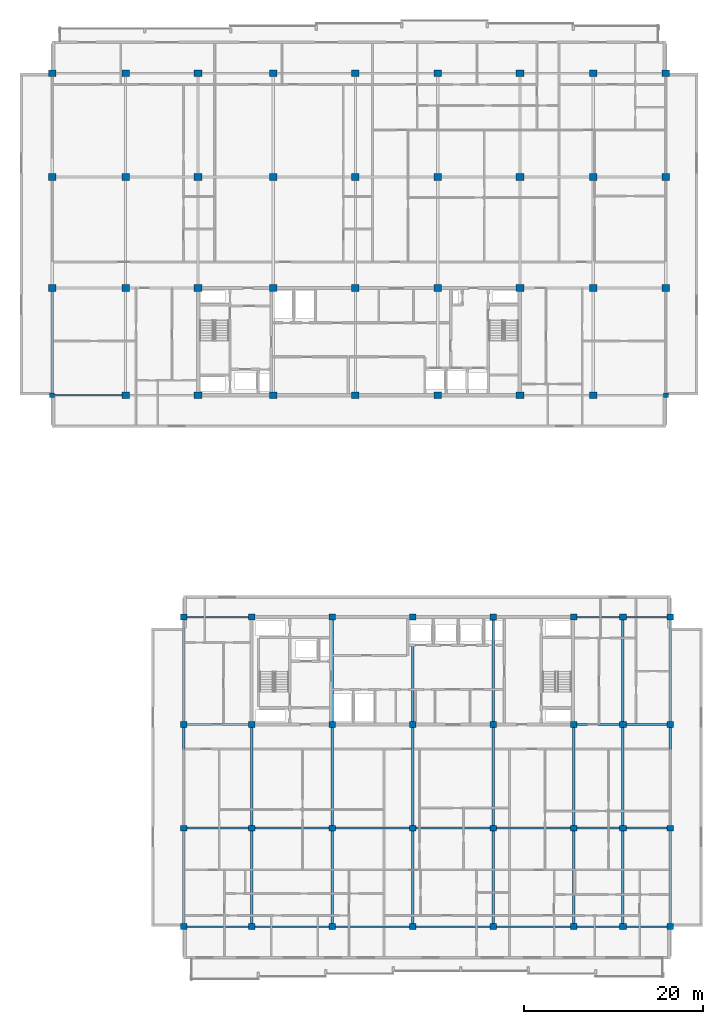
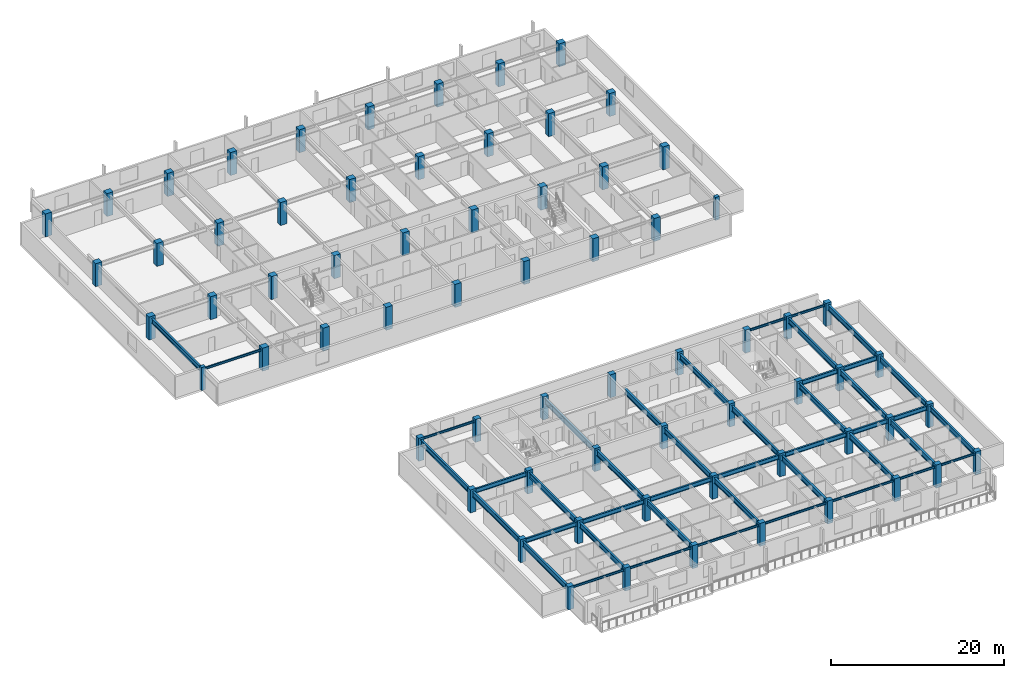
# One storey, part 1 of 22: 68 columns, 44 beams.
"""IFC4 building model written with IfcOpenShell, lengths in metres."""

import ifcopenshell
import ifcopenshell.guid

model = None  # the IFC model being written
_history = None  # IfcOwnerHistory: only IFC2X3 demands one
_inside = {}  # id of a spatial element -> (the spatial element, [elements in it])
_under = {}  # id of a project, library or spatial element -> (it, [spatial elements below it])
_declared = {}  # id of a project -> (the project, [libraries it declares])
_typed = {}  # id of a type object -> (the type object, [elements of that type])
_made_of = {}  # id of a material, layer set ... -> (it, [elements and type objects made of it])


def new_model(schema):
    """Start an empty IFC model of exactly this schema.

    Asked for "IFC4X3", IfcOpenShell would pick the latest addendum, in which some entities
    have other attributes; the version numbers below select the first issue.
    IFC2X3 requires an IfcOwnerHistory on every rooted entity: one is made here for all.
    """
    global model, _history
    if schema == "IFC4X3":
        model = ifcopenshell.file(schema_version=(4, 3, 0, 0))
    else:
        model = ifcopenshell.file(schema=schema)
    _inside.clear()
    _under.clear()
    _declared.clear()
    _typed.clear()
    _made_of.clear()
    _history = None
    if model.schema == "IFC2X3":
        org = make("IfcOrganization", Name="unknown")
        user = make(
            "IfcPersonAndOrganization",
            ThePerson=make("IfcPerson", FamilyName="unknown"),
            TheOrganization=org,
        )
        app = make(
            "IfcApplication",
            ApplicationDeveloper=org,
            Version="unknown",
            ApplicationFullName="unknown",
            ApplicationIdentifier="unknown",
        )
        _history = make(
            "IfcOwnerHistory",
            OwningUser=user,
            OwningApplication=app,
            ChangeAction="ADDED",
            CreationDate=0,
        )
    return model


def make(cls, **values):
    """One entity of the class cls with the attributes given. An attribute that is None is left unset."""
    return model.create_entity(
        cls, **{name: value for name, value in values.items() if value is not None}
    )


def rooted(cls, **values):
    """An entity with a GlobalId (a new one), such as an element, a storey or a relation."""
    return make(cls, GlobalId=ifcopenshell.guid.new(), OwnerHistory=_history, **values)


def si_unit(unit_type, name, prefix=None):
    """IfcSIUnit, for example si_unit("LENGTHUNIT", "METRE", prefix="MILLI")."""
    return make("IfcSIUnit", UnitType=unit_type, Prefix=prefix, Name=name)


def assignment(units):
    """IfcUnitAssignment: the units of a project."""
    return None if units is None else make("IfcUnitAssignment", Units=units)


def point(xyz):
    """IfcCartesianPoint."""
    return None if xyz is None else make("IfcCartesianPoint", Coordinates=xyz)


def direction(xyz):
    """IfcDirection."""
    return None if xyz is None else make("IfcDirection", DirectionRatios=xyz)


def frame(location, z_axis=None, x_axis=None):
    """IfcAxis2Placement3D, a coordinate frame: its origin and axes. An axis left out is left unset."""
    return make(
        "IfcAxis2Placement3D",
        Location=point(location),
        Axis=direction(z_axis),
        RefDirection=direction(x_axis),
    )


def frame_2d(location, x_axis=None):
    """IfcAxis2Placement2D, a coordinate frame in the plane: its origin and x axis."""
    return make(
        "IfcAxis2Placement2D", Location=point(location), RefDirection=direction(x_axis)
    )


def origin():
    """The frame at (0, 0, 0) with its axes left unset."""
    return frame((0.0, 0.0, 0.0))


def origin_2d():
    """The frame at (0, 0) in the plane with its x axis left unset."""
    return frame_2d((0.0, 0.0))


def place(relative_to, where):
    """IfcLocalPlacement: puts the frame where relative to a parent placement (None: the world)."""
    return make(
        "IfcLocalPlacement", PlacementRelTo=relative_to, RelativePlacement=where
    )


def context(
    kind, dimensions, precision=None, world=None, true_north=None, identifier=None
):
    """IfcGeometricRepresentationContext, for example the 3D "Model" context."""
    return make(
        "IfcGeometricRepresentationContext",
        ContextIdentifier=identifier,
        ContextType=kind,
        CoordinateSpaceDimension=dimensions,
        Precision=precision,
        WorldCoordinateSystem=world,
        TrueNorth=true_north,
    )


def subcontext(parent, identifier, kind, view, scale=None):
    """IfcGeometricRepresentationSubContext, for example "Body" below "Model"."""
    return make(
        "IfcGeometricRepresentationSubContext",
        ContextIdentifier=identifier,
        ContextType=kind,
        ParentContext=parent,
        TargetScale=scale,
        TargetView=view,
    )


def project(units=None, contexts=None):
    """IfcProject with its units and contexts."""
    return rooted(
        "IfcProject",
        Name="project",
        RepresentationContexts=contexts,
        UnitsInContext=assignment(units),
    )


def spatial(cls, under=None, at=None, **own):
    """A site, building, storey or space (cls), placed at a placement, below another one or the project."""
    s = rooted(cls, ObjectPlacement=at, **own)
    if under is not None:
        _under.setdefault(under.id(), (under, []))[1].append(s)
    return s


def profile(cls, at=None, kind="AREA", **sizes):
    """A parametric profile (cls). Its sizes go by their IFC names, for example OverallWidth=200.0."""
    return make(cls, ProfileType=kind, Position=at, **sizes)


def rectangle(**sizes):
    """IfcRectangleProfileDef."""
    return profile("IfcRectangleProfileDef", **sizes)


def i_section(**sizes):
    """IfcIShapeProfileDef."""
    return profile("IfcIShapeProfileDef", **sizes)


def extrude(swept, where, along, depth):
    """IfcExtrudedAreaSolid: the profile swept, set in the frame where, extruded along a direction by depth."""
    return make(
        "IfcExtrudedAreaSolid",
        SweptArea=swept,
        Position=where,
        ExtrudedDirection=direction(along),
        Depth=depth,
    )


def shape(context_of_items, identifier, shape_type, items):
    """IfcShapeRepresentation: the items that make up one representation, for example the "Body"."""
    return make(
        "IfcShapeRepresentation",
        ContextOfItems=context_of_items,
        RepresentationIdentifier=identifier,
        RepresentationType=shape_type,
        Items=items,
    )


def material(Name=None, Category=None):
    """IfcMaterial."""
    return make("IfcMaterial", Name=Name, Category=Category)


def material_profile(
    of_material, cross_section, Name=None, Category=None, Priority=None
):
    """IfcMaterialProfile: a cross section and its material."""
    return make(
        "IfcMaterialProfile",
        Name=Name,
        Material=of_material,
        Profile=cross_section,
        Priority=Priority,
        Category=Category,
    )


def profile_set(profiles, Name=None, composite=None):
    """IfcMaterialProfileSet."""
    return make(
        "IfcMaterialProfileSet",
        Name=Name,
        MaterialProfiles=profiles,
        CompositeProfile=composite,
    )


def made_of(thing, what):
    """Note that an element or type object is made of a material, layer set ...; save() writes the relation."""
    if what is not None:
        _made_of.setdefault(what.id(), (what, []))[1].append(thing)
    return thing


def type_object(cls, material=None, **own):
    """A type object (cls), such as IfcWallType, which elements share."""
    return made_of(rooted(cls, **own), material)


def element(
    cls,
    number,
    at=None,
    inside=None,
    cuts=None,
    type_object=None,
    material=None,
    context=None,
    identifier="Body",
    shape_type=None,
    held_by="IfcProductDefinitionShape",
    body=None,
    shapes=None,
    **own,
):
    """One element of the class cls, such as IfcWall. Its Tag is "e" and its number.

    at: its placement. inside: the storey or other place that contains it. cuts: it is an
    opening in that element (IfcRelVoidsElement). A single representation is given by context,
    identifier, shape_type and body (its items); several are given by shapes. held_by: the class
    of the entity that holds the representations. save() writes the other relations.
    """
    e = rooted(cls, Tag="e%d" % number, ObjectPlacement=at, **own)
    if body is not None:
        shapes = [shape(context, identifier, shape_type, body)]
    if shapes is not None:
        e.Representation = make(held_by, Representations=shapes)
    if inside is not None:
        _inside.setdefault(inside.id(), (inside, []))[1].append(e)
    if cuts is not None:
        rooted(
            "IfcRelVoidsElement", RelatingBuildingElement=cuts, RelatedOpeningElement=e
        )
    if type_object is not None:
        _typed.setdefault(type_object.id(), (type_object, []))[1].append(e)
    return made_of(e, material)


def aggregate(whole, parts):
    """IfcRelAggregates: a whole, such as a stair, and the parts it consists of."""
    return rooted("IfcRelAggregates", RelatingObject=whole, RelatedObjects=parts)


def save(model, path):
    """Write the relations noted so far, then the file.

    IfcRelAggregates (storeys below a building ...), IfcRelContainedInSpatialStructure (elements
    in a storey), IfcRelDefinesByType, IfcRelAssociatesMaterial and IfcRelDeclares: one each for
    every whole, place, type object, material and project.
    """
    for whole, parts in _under.values():
        aggregate(whole, parts)
    for where, things in _inside.values():
        rooted(
            "IfcRelContainedInSpatialStructure",
            RelatedElements=things,
            RelatingStructure=where,
        )
    for kind, things in _typed.values():
        rooted("IfcRelDefinesByType", RelatedObjects=things, RelatingType=kind)
    for what, things in _made_of.values():
        rooted("IfcRelAssociatesMaterial", RelatedObjects=things, RelatingMaterial=what)
    for by, libraries in _declared.values():
        rooted("IfcRelDeclares", RelatingContext=by, RelatedDefinitions=libraries)
    model.write(path)


model = new_model("IFC4")

# Units and contexts
model_context = context("Model", 3, precision=1e-05, world=origin(), true_north=direction((0.0, 1.0)))
body_context = subcontext(model_context, "Body", "Model", "MODEL_VIEW")
ifc_project = project(units=[si_unit("LENGTHUNIT", "METRE"), si_unit("AREAUNIT", "SQUARE_METRE"), si_unit("VOLUMEUNIT", "CUBIC_METRE"), si_unit("PLANEANGLEUNIT", "RADIAN"), si_unit("MASSUNIT", "GRAM", prefix="KILO")], contexts=[model_context])

# Site, building, storey
site_placement = place(None, origin())
site = spatial("IfcSite", under=ifc_project, at=site_placement, CompositionType="ELEMENT")
building_placement = place(site_placement, origin())
building = spatial("IfcBuilding", under=site, at=building_placement, Name="Korimba Cascade Residences", CompositionType="ELEMENT")
storey_placement = place(building_placement, frame((0.0, 0.0, 197.85009765625)))
storey = spatial("IfcBuildingStorey", under=building, at=storey_placement, Name="L57", CompositionType="ELEMENT", Elevation=197.85009765625)

# Columns
ifc_material_1 = material(Name="Concrete C65/80", Category="concrete")
ifc_material_profile_1 = material_profile(ifc_material_1, rectangle(XDim=0.550048828125, YDim=0.449951171875, at=origin_2d()), Name="Concrete C65/80")
ifc_profile_set_1 = profile_set([ifc_material_profile_1], Name="Concrete C65/80")
column_type_1 = type_object("IfcColumnType", Name="COL-PIL-550", PredefinedType="PILASTER", material=ifc_profile_set_1)
for number, where, z_axis, x_axis, name in (
    (1, (59.800048828125, 55.199951171875, 0.0), (0.0, 0.0, 1.0), (1.0, 0.0, 0.0), "L57 Tower 1 Column 1.1"),
    (2, (128.39990234375, 55.199951171875, 0.0), (0.0, 0.0, 1.0), (1.0, 0.0, 0.0), "L57 Tower 1 Column 9.1"),
):
    element("IfcColumn", number, at=place(storey_placement, frame(where, z_axis=z_axis, x_axis=x_axis)), inside=storey, type_object=column_type_1, Name=name, PredefinedType="PILASTER", context=body_context, shape_type="SweptSolid", body=[
        extrude(rectangle(XDim=0.550048828125, YDim=0.449951171875, at=origin_2d()), origin(), (0.0, 0.0, 1.0), 3.25),
    ])
ifc_material_2 = material(Name="Concrete C50/60", Category="concrete")
ifc_material_profile_2 = material_profile(ifc_material_2, rectangle(XDim=0.75, YDim=0.64990234375, at=origin_2d()), Name="Concrete C50/60")
ifc_profile_set_2 = profile_set([ifc_material_profile_2], Name="Concrete C50/60")
column_type_2 = type_object("IfcColumnType", Name="COL-RC-750", PredefinedType="COLUMN", material=ifc_profile_set_2)
for number, where, z_axis, x_axis, name in (
    (3, (74.5, -4.199951171875, 0.0), (0.0, 0.0, 1.0), (1.0, 0.0, 0.0), "L57 Tower 2 Column 1.1"),
    (4, (74.5, 6.800048828125, 0.0), (0.0, 0.0, 1.0), (1.0, 0.0, 0.0), "L57 Tower 2 Column 1.2"),
    (5, (74.5, 18.39990234375, 0.0), (0.0, 0.0, 1.0), (1.0, 0.0, 0.0), "L57 Tower 2 Column 1.3"),
    (6, (74.5, 30.39990234375, 0.0), (0.0, 0.0, 1.0), (1.0, 0.0, 0.0), "L57 Tower 2 Column 1.4"),
    (7, (82.10009765625, -4.199951171875, 0.0), (0.0, 0.0, 1.0), (1.0, 0.0, 0.0), "L57 Tower 2 Column 2.1"),
    (8, (82.10009765625, 6.800048828125, 0.0), (0.0, 0.0, 1.0), (1.0, 0.0, 0.0), "L57 Tower 2 Column 2.2"),
    (9, (82.10009765625, 18.39990234375, 0.0), (0.0, 0.0, 1.0), (1.0, 0.0, 0.0), "L57 Tower 2 Column 2.3"),
    (10, (82.10009765625, 30.39990234375, 0.0), (0.0, 0.0, 1.0), (1.0, 0.0, 0.0), "L57 Tower 2 Column 2.4"),
    (11, (91.10009765625, -4.199951171875, 0.0), (0.0, 0.0, 1.0), (1.0, 0.0, 0.0), "L57 Tower 2 Column 3.1"),
    (12, (91.10009765625, 6.800048828125, 0.0), (0.0, 0.0, 1.0), (1.0, 0.0, 0.0), "L57 Tower 2 Column 3.2"),
    (13, (91.10009765625, 18.39990234375, 0.0), (0.0, 0.0, 1.0), (1.0, 0.0, 0.0), "L57 Tower 2 Column 3.3"),
    (14, (91.10009765625, 30.39990234375, 0.0), (0.0, 0.0, 1.0), (1.0, 0.0, 0.0), "L57 Tower 2 Column 3.4"),
    (15, (100.10009765625, -4.199951171875, 0.0), (0.0, 0.0, 1.0), (1.0, 0.0, 0.0), "L57 Tower 2 Column 4.1"),
    (16, (100.10009765625, 6.800048828125, 0.0), (0.0, 0.0, 1.0), (1.0, 0.0, 0.0), "L57 Tower 2 Column 4.2"),
    (17, (100.10009765625, 18.39990234375, 0.0), (0.0, 0.0, 1.0), (1.0, 0.0, 0.0), "L57 Tower 2 Column 4.3"),
    (18, (100.10009765625, 30.39990234375, 0.0), (0.0, 0.0, 1.0), (1.0, 0.0, 0.0), "L57 Tower 2 Column 4.4"),
    (19, (109.10009765625, -4.199951171875, 0.0), (0.0, 0.0, 1.0), (1.0, 0.0, 0.0), "L57 Tower 2 Column 5.1"),
    (20, (109.10009765625, 6.800048828125, 0.0), (0.0, 0.0, 1.0), (1.0, 0.0, 0.0), "L57 Tower 2 Column 5.2"),
    (21, (109.10009765625, 18.39990234375, 0.0), (0.0, 0.0, 1.0), (1.0, 0.0, 0.0), "L57 Tower 2 Column 5.3"),
    (22, (109.10009765625, 30.39990234375, 0.0), (0.0, 0.0, 1.0), (1.0, 0.0, 0.0), "L57 Tower 2 Column 5.4"),
    (23, (118.10009765625, -4.199951171875, 0.0), (0.0, 0.0, 1.0), (1.0, 0.0, 0.0), "L57 Tower 2 Column 6.1"),
    (24, (118.10009765625, 6.800048828125, 0.0), (0.0, 0.0, 1.0), (1.0, 0.0, 0.0), "L57 Tower 2 Column 6.2"),
    (25, (118.10009765625, 18.39990234375, 0.0), (0.0, 0.0, 1.0), (1.0, 0.0, 0.0), "L57 Tower 2 Column 6.3"),
    (26, (118.10009765625, 30.39990234375, 0.0), (0.0, 0.0, 1.0), (1.0, 0.0, 0.0), "L57 Tower 2 Column 6.4"),
    (27, (123.60009765625, -4.199951171875, 0.0), (0.0, 0.0, 1.0), (1.0, 0.0, 0.0), "L57 Tower 2 Column 7.1"),
    (28, (123.60009765625, 6.800048828125, 0.0), (0.0, 0.0, 1.0), (1.0, 0.0, 0.0), "L57 Tower 2 Column 7.2"),
    (29, (123.60009765625, 18.39990234375, 0.0), (0.0, 0.0, 1.0), (1.0, 0.0, 0.0), "L57 Tower 2 Column 7.3"),
    (30, (123.60009765625, 30.39990234375, 0.0), (0.0, 0.0, 1.0), (1.0, 0.0, 0.0), "L57 Tower 2 Column 7.4"),
    (31, (128.89990234375, -4.199951171875, 0.0), (0.0, 0.0, 1.0), (1.0, 0.0, 0.0), "L57 Tower 2 Column 8.1"),
    (32, (128.89990234375, 6.800048828125, 0.0), (0.0, 0.0, 1.0), (1.0, 0.0, 0.0), "L57 Tower 2 Column 8.2"),
    (33, (128.89990234375, 18.39990234375, 0.0), (0.0, 0.0, 1.0), (1.0, 0.0, 0.0), "L57 Tower 2 Column 8.3"),
    (34, (128.89990234375, 30.39990234375, 0.0), (0.0, 0.0, 1.0), (1.0, 0.0, 0.0), "L57 Tower 2 Column 8.4"),
):
    element("IfcColumn", number, at=place(storey_placement, frame(where, z_axis=z_axis, x_axis=x_axis)), inside=storey, type_object=column_type_2, Name=name, PredefinedType="COLUMN", context=body_context, shape_type="SweptSolid", body=[
        extrude(rectangle(XDim=0.75, YDim=0.64990234375, at=origin_2d()), origin(), (0.0, 0.0, 1.0), 3.25),
    ])
ifc_material_profile_3 = material_profile(ifc_material_1, rectangle(XDim=0.85009765625, YDim=0.75, at=origin_2d()), Name="Concrete C65/80")
ifc_profile_set_3 = profile_set([ifc_material_profile_3], Name="Concrete C65/80")
column_type_3 = type_object("IfcColumnType", Name="COL-RC-850", PredefinedType="COLUMN", material=ifc_profile_set_3)
for number, where, z_axis, x_axis, name in (
    (35, (59.800048828125, 67.199951171875, 0.0), (0.0, 0.0, 1.0), (1.0, 0.0, 0.0), "L57 Tower 1 Column 1.2"),
    (36, (59.800048828125, 79.60009765625, 0.0), (0.0, 0.0, 1.0), (1.0, 0.0, 0.0), "L57 Tower 1 Column 1.3"),
    (37, (59.800048828125, 91.199951171875, 0.0), (0.0, 0.0, 1.0), (1.0, 0.0, 0.0), "L57 Tower 1 Column 1.4"),
    (38, (68.0, 55.199951171875, 0.0), (0.0, 0.0, 1.0), (1.0, 0.0, 0.0), "L57 Tower 1 Column 2.1"),
    (39, (68.0, 67.199951171875, 0.0), (0.0, 0.0, 1.0), (1.0, 0.0, 0.0), "L57 Tower 1 Column 2.2"),
    (40, (68.0, 79.60009765625, 0.0), (0.0, 0.0, 1.0), (1.0, 0.0, 0.0), "L57 Tower 1 Column 2.3"),
    (41, (68.0, 91.199951171875, 0.0), (0.0, 0.0, 1.0), (1.0, 0.0, 0.0), "L57 Tower 1 Column 2.4"),
    (42, (76.10009765625, 55.199951171875, 0.0), (0.0, 0.0, 1.0), (1.0, 0.0, 0.0), "L57 Tower 1 Column 3.1"),
    (43, (76.10009765625, 67.199951171875, 0.0), (0.0, 0.0, 1.0), (1.0, 0.0, 0.0), "L57 Tower 1 Column 3.2"),
    (44, (76.10009765625, 79.60009765625, 0.0), (0.0, 0.0, 1.0), (1.0, 0.0, 0.0), "L57 Tower 1 Column 3.3"),
    (45, (76.10009765625, 91.199951171875, 0.0), (0.0, 0.0, 1.0), (1.0, 0.0, 0.0), "L57 Tower 1 Column 3.4"),
    (46, (84.5, 55.199951171875, 0.0), (0.0, 0.0, 1.0), (1.0, 0.0, 0.0), "L57 Tower 1 Column 4.1"),
    (47, (84.5, 67.199951171875, 0.0), (0.0, 0.0, 1.0), (1.0, 0.0, 0.0), "L57 Tower 1 Column 4.2"),
    (48, (84.5, 79.60009765625, 0.0), (0.0, 0.0, 1.0), (1.0, 0.0, 0.0), "L57 Tower 1 Column 4.3"),
    (49, (84.5, 91.199951171875, 0.0), (0.0, 0.0, 1.0), (1.0, 0.0, 0.0), "L57 Tower 1 Column 4.4"),
    (50, (93.699951171875, 55.199951171875, 0.0), (0.0, 0.0, 1.0), (1.0, 0.0, 0.0), "L57 Tower 1 Column 5.1"),
    (51, (93.699951171875, 67.199951171875, 0.0), (0.0, 0.0, 1.0), (1.0, 0.0, 0.0), "L57 Tower 1 Column 5.2"),
    (52, (93.699951171875, 79.60009765625, 0.0), (0.0, 0.0, 1.0), (1.0, 0.0, 0.0), "L57 Tower 1 Column 5.3"),
    (53, (93.699951171875, 91.199951171875, 0.0), (0.0, 0.0, 1.0), (1.0, 0.0, 0.0), "L57 Tower 1 Column 5.4"),
    (54, (102.89990234375, 55.199951171875, 0.0), (0.0, 0.0, 1.0), (1.0, 0.0, 0.0), "L57 Tower 1 Column 6.1"),
    (55, (102.89990234375, 67.199951171875, 0.0), (0.0, 0.0, 1.0), (1.0, 0.0, 0.0), "L57 Tower 1 Column 6.2"),
    (56, (102.89990234375, 79.60009765625, 0.0), (0.0, 0.0, 1.0), (1.0, 0.0, 0.0), "L57 Tower 1 Column 6.3"),
    (57, (102.89990234375, 91.199951171875, 0.0), (0.0, 0.0, 1.0), (1.0, 0.0, 0.0), "L57 Tower 1 Column 6.4"),
    (58, (112.10009765625, 55.199951171875, 0.0), (0.0, 0.0, 1.0), (1.0, 0.0, 0.0), "L57 Tower 1 Column 7.1"),
    (59, (112.10009765625, 67.199951171875, 0.0), (0.0, 0.0, 1.0), (1.0, 0.0, 0.0), "L57 Tower 1 Column 7.2"),
    (60, (112.10009765625, 79.60009765625, 0.0), (0.0, 0.0, 1.0), (1.0, 0.0, 0.0), "L57 Tower 1 Column 7.3"),
    (61, (112.10009765625, 91.199951171875, 0.0), (0.0, 0.0, 1.0), (1.0, 0.0, 0.0), "L57 Tower 1 Column 7.4"),
    (62, (120.300048828125, 55.199951171875, 0.0), (0.0, 0.0, 1.0), (1.0, 0.0, 0.0), "L57 Tower 1 Column 8.1"),
    (63, (120.300048828125, 67.199951171875, 0.0), (0.0, 0.0, 1.0), (1.0, 0.0, 0.0), "L57 Tower 1 Column 8.2"),
    (64, (120.300048828125, 79.60009765625, 0.0), (0.0, 0.0, 1.0), (1.0, 0.0, 0.0), "L57 Tower 1 Column 8.3"),
    (65, (120.300048828125, 91.199951171875, 0.0), (0.0, 0.0, 1.0), (1.0, 0.0, 0.0), "L57 Tower 1 Column 8.4"),
    (66, (128.39990234375, 67.199951171875, 0.0), (0.0, 0.0, 1.0), (1.0, 0.0, 0.0), "L57 Tower 1 Column 9.2"),
    (67, (128.39990234375, 79.60009765625, 0.0), (0.0, 0.0, 1.0), (1.0, 0.0, 0.0), "L57 Tower 1 Column 9.3"),
    (68, (128.39990234375, 91.199951171875, 0.0), (0.0, 0.0, 1.0), (1.0, 0.0, 0.0), "L57 Tower 1 Column 9.4"),
):
    element("IfcColumn", number, at=place(storey_placement, frame(where, z_axis=z_axis, x_axis=x_axis)), inside=storey, type_object=column_type_3, Name=name, PredefinedType="COLUMN", context=body_context, shape_type="SweptSolid", body=[
        extrude(rectangle(XDim=0.85009765625, YDim=0.75, at=origin_2d()), origin(), (0.0, 0.0, 1.0), 3.25),
    ])

# Beams
ifc_material_3 = material(Name="Steel S355", Category="steel")
ifc_material_profile_4 = material_profile(ifc_material_3, i_section(OverallWidth=0.165771484375, OverallDepth=0.306640625, WebThickness=0.006591796875, FlangeThickness=0.01171875, FilletRadius=0.0087890625, at=origin_2d()), Name="Steel S355")
ifc_profile_set_4 = profile_set([ifc_material_profile_4], Name="Steel S355")
beam_type_1 = type_object("IfcBeamType", Name="BM-STL-UB305", PredefinedType="SPANDREL", material=ifc_profile_set_4)
beam_1_placement = place(storey_placement, frame((60.074951171875, 55.199951171875, 2.816650390625), z_axis=(1.0, 0.0, 0.0), x_axis=(0.0, 1.0, 0.0)))
element("IfcBeam", 69, at=beam_1_placement, inside=storey, type_object=beam_type_1, Name="L57 T1 E-W Girder Y1 Bay 1", PredefinedType="SPANDREL", context=body_context, shape_type="SweptSolid", body=[
    extrude(i_section(OverallWidth=0.165771484375, OverallDepth=0.306640625, WebThickness=0.006591796875, FlangeThickness=0.01171875, FilletRadius=0.0087890625, at=origin_2d()), origin(), (0.0, 0.0, 1.0), 7.5),
])
beam_2_placement = place(storey_placement, frame((74.875, -4.199951171875, 2.816650390625), z_axis=(1.0, 0.0, 0.0), x_axis=(0.0, 1.0, 0.0)))
element("IfcBeam", 70, at=beam_2_placement, inside=storey, type_object=beam_type_1, Name="L57 T2 E-W Girder Y1 Bay 1", PredefinedType="SPANDREL", context=body_context, shape_type="SweptSolid", body=[
    extrude(i_section(OverallWidth=0.165771484375, OverallDepth=0.306640625, WebThickness=0.006591796875, FlangeThickness=0.01171875, FilletRadius=0.0087890625, at=origin_2d()), origin(), (0.0, 0.0, 1.0), 6.85009765625),
])
for number, where, z_axis, x_axis, name in (
    (71, (82.47509765625, -4.199951171875, 2.816650390625), (1.0, 0.0, 0.0), (0.0, 1.0, 0.0), "L57 T2 E-W Girder Y1 Bay 2"),
    (72, (91.47509765625, -4.199951171875, 2.816650390625), (1.0, 0.0, 0.0), (0.0, 1.0, 0.0), "L57 T2 E-W Girder Y1 Bay 3"),
    (73, (100.47509765625, -4.199951171875, 2.816650390625), (1.0, 0.0, 0.0), (0.0, 1.0, 0.0), "L57 T2 E-W Girder Y1 Bay 4"),
    (74, (109.47509765625, -4.199951171875, 2.816650390625), (1.0, 0.0, 0.0), (0.0, 1.0, 0.0), "L57 T2 E-W Girder Y1 Bay 5"),
):
    element("IfcBeam", number, at=place(storey_placement, frame(where, z_axis=z_axis, x_axis=x_axis)), inside=storey, type_object=beam_type_1, Name=name, PredefinedType="SPANDREL", context=body_context, shape_type="SweptSolid", body=[
        extrude(i_section(OverallWidth=0.165771484375, OverallDepth=0.306640625, WebThickness=0.006591796875, FlangeThickness=0.01171875, FilletRadius=0.0087890625, at=origin_2d()), origin(), (0.0, 0.0, 1.0), 8.25),
    ])
beam_3_placement = place(storey_placement, frame((118.47509765625, -4.199951171875, 2.816650390625), z_axis=(1.0, 0.0, 0.0), x_axis=(0.0, 1.0, 0.0)))
element("IfcBeam", 75, at=beam_3_placement, inside=storey, type_object=beam_type_1, Name="L57 T2 E-W Girder Y1 Bay 6", PredefinedType="SPANDREL", context=body_context, shape_type="SweptSolid", body=[
    extrude(i_section(OverallWidth=0.165771484375, OverallDepth=0.306640625, WebThickness=0.006591796875, FlangeThickness=0.01171875, FilletRadius=0.0087890625, at=origin_2d()), origin(), (0.0, 0.0, 1.0), 4.75),
])
beam_4_placement = place(storey_placement, frame((123.97509765625, -4.199951171875, 2.816650390625), z_axis=(1.0, 0.0, 0.0), x_axis=(0.0, 1.0, 0.0)))
element("IfcBeam", 76, at=beam_4_placement, inside=storey, type_object=beam_type_1, Name="L57 T2 E-W Girder Y1 Bay 7", PredefinedType="SPANDREL", context=body_context, shape_type="SweptSolid", body=[
    extrude(i_section(OverallWidth=0.165771484375, OverallDepth=0.306640625, WebThickness=0.006591796875, FlangeThickness=0.01171875, FilletRadius=0.0087890625, at=origin_2d()), origin(), (0.0, 0.0, 1.0), 4.5498046875),
])
beam_5_placement = place(storey_placement, frame((74.875, 30.39990234375, 2.816650390625), z_axis=(1.0, 0.0, 0.0), x_axis=(0.0, 1.0, 0.0)))
element("IfcBeam", 77, at=beam_5_placement, inside=storey, type_object=beam_type_1, Name="L57 T2 E-W Girder Y4 Bay 1", PredefinedType="SPANDREL", context=body_context, shape_type="SweptSolid", body=[
    extrude(i_section(OverallWidth=0.165771484375, OverallDepth=0.306640625, WebThickness=0.006591796875, FlangeThickness=0.01171875, FilletRadius=0.0087890625, at=origin_2d()), origin(), (0.0, 0.0, 1.0), 6.85009765625),
])
beam_6_placement = place(storey_placement, frame((118.47509765625, 30.39990234375, 2.816650390625), z_axis=(1.0, 0.0, 0.0), x_axis=(0.0, 1.0, 0.0)))
element("IfcBeam", 78, at=beam_6_placement, inside=storey, type_object=beam_type_1, Name="L57 T2 E-W Girder Y4 Bay 6", PredefinedType="SPANDREL", context=body_context, shape_type="SweptSolid", body=[
    extrude(i_section(OverallWidth=0.165771484375, OverallDepth=0.306640625, WebThickness=0.006591796875, FlangeThickness=0.01171875, FilletRadius=0.0087890625, at=origin_2d()), origin(), (0.0, 0.0, 1.0), 4.75),
])
beam_7_placement = place(storey_placement, frame((123.97509765625, 30.39990234375, 2.816650390625), z_axis=(1.0, 0.0, 0.0), x_axis=(0.0, 1.0, 0.0)))
element("IfcBeam", 79, at=beam_7_placement, inside=storey, type_object=beam_type_1, Name="L57 T2 E-W Girder Y4 Bay 7", PredefinedType="SPANDREL", context=body_context, shape_type="SweptSolid", body=[
    extrude(i_section(OverallWidth=0.165771484375, OverallDepth=0.306640625, WebThickness=0.006591796875, FlangeThickness=0.01171875, FilletRadius=0.0087890625, at=origin_2d()), origin(), (0.0, 0.0, 1.0), 4.5498046875),
])
ifc_material_profile_5 = material_profile(ifc_material_3, i_section(OverallWidth=0.22900390625, OverallDepth=0.6123046875, WebThickness=0.011962890625, FlangeThickness=0.01953125, FilletRadius=0.0126953125, at=origin_2d()), Name="Steel S355")
ifc_profile_set_5 = profile_set([ifc_material_profile_5], Name="Steel S355")
beam_type_2 = type_object("IfcBeamType", Name="BM-STL-UB610B", PredefinedType="BEAM", material=ifc_profile_set_5)
beam_8_placement = place(storey_placement, frame((74.875, 6.800048828125, 2.663818359375), z_axis=(1.0, 0.0, 0.0), x_axis=(0.0, 1.0, 0.0)))
element("IfcBeam", 80, at=beam_8_placement, inside=storey, type_object=beam_type_2, Name="L57 T2 E-W Girder Y2 Bay 1", PredefinedType="BEAM", context=body_context, shape_type="SweptSolid", body=[
    extrude(i_section(OverallWidth=0.22900390625, OverallDepth=0.6123046875, WebThickness=0.011962890625, FlangeThickness=0.01953125, FilletRadius=0.0126953125, at=origin_2d()), origin(), (0.0, 0.0, 1.0), 6.85009765625),
])
for number, where, z_axis, x_axis, name in (
    (81, (82.47509765625, 6.800048828125, 2.663818359375), (1.0, 0.0, 0.0), (0.0, 1.0, 0.0), "L57 T2 E-W Girder Y2 Bay 2"),
    (82, (91.47509765625, 6.800048828125, 2.663818359375), (1.0, 0.0, 0.0), (0.0, 1.0, 0.0), "L57 T2 E-W Girder Y2 Bay 3"),
    (83, (100.47509765625, 6.800048828125, 2.663818359375), (1.0, 0.0, 0.0), (0.0, 1.0, 0.0), "L57 T2 E-W Girder Y2 Bay 4"),
    (84, (109.47509765625, 6.800048828125, 2.663818359375), (1.0, 0.0, 0.0), (0.0, 1.0, 0.0), "L57 T2 E-W Girder Y2 Bay 5"),
):
    element("IfcBeam", number, at=place(storey_placement, frame(where, z_axis=z_axis, x_axis=x_axis)), inside=storey, type_object=beam_type_2, Name=name, PredefinedType="BEAM", context=body_context, shape_type="SweptSolid", body=[
        extrude(i_section(OverallWidth=0.22900390625, OverallDepth=0.6123046875, WebThickness=0.011962890625, FlangeThickness=0.01953125, FilletRadius=0.0126953125, at=origin_2d()), origin(), (0.0, 0.0, 1.0), 8.25),
    ])
beam_9_placement = place(storey_placement, frame((118.47509765625, 6.800048828125, 2.663818359375), z_axis=(1.0, 0.0, 0.0), x_axis=(0.0, 1.0, 0.0)))
element("IfcBeam", 85, at=beam_9_placement, inside=storey, type_object=beam_type_2, Name="L57 T2 E-W Girder Y2 Bay 6", PredefinedType="BEAM", context=body_context, shape_type="SweptSolid", body=[
    extrude(i_section(OverallWidth=0.22900390625, OverallDepth=0.6123046875, WebThickness=0.011962890625, FlangeThickness=0.01953125, FilletRadius=0.0126953125, at=origin_2d()), origin(), (0.0, 0.0, 1.0), 4.75),
])
beam_10_placement = place(storey_placement, frame((123.97509765625, 6.800048828125, 2.663818359375), z_axis=(1.0, 0.0, 0.0), x_axis=(0.0, 1.0, 0.0)))
element("IfcBeam", 86, at=beam_10_placement, inside=storey, type_object=beam_type_2, Name="L57 T2 E-W Girder Y2 Bay 7", PredefinedType="BEAM", context=body_context, shape_type="SweptSolid", body=[
    extrude(i_section(OverallWidth=0.22900390625, OverallDepth=0.6123046875, WebThickness=0.011962890625, FlangeThickness=0.01953125, FilletRadius=0.0126953125, at=origin_2d()), origin(), (0.0, 0.0, 1.0), 4.5498046875),
])
beam_11_placement = place(storey_placement, frame((74.875, 18.39990234375, 2.663818359375), z_axis=(1.0, 0.0, 0.0), x_axis=(0.0, 1.0, 0.0)))
element("IfcBeam", 87, at=beam_11_placement, inside=storey, type_object=beam_type_2, Name="L57 T2 E-W Girder Y3 Bay 1", PredefinedType="BEAM", context=body_context, shape_type="SweptSolid", body=[
    extrude(i_section(OverallWidth=0.22900390625, OverallDepth=0.6123046875, WebThickness=0.011962890625, FlangeThickness=0.01953125, FilletRadius=0.0126953125, at=origin_2d()), origin(), (0.0, 0.0, 1.0), 6.85009765625),
])
beam_12_placement = place(storey_placement, frame((118.47509765625, 18.39990234375, 2.663818359375), z_axis=(1.0, 0.0, 0.0), x_axis=(0.0, 1.0, 0.0)))
element("IfcBeam", 88, at=beam_12_placement, inside=storey, type_object=beam_type_2, Name="L57 T2 E-W Girder Y3 Bay 6", PredefinedType="BEAM", context=body_context, shape_type="SweptSolid", body=[
    extrude(i_section(OverallWidth=0.22900390625, OverallDepth=0.6123046875, WebThickness=0.011962890625, FlangeThickness=0.01953125, FilletRadius=0.0126953125, at=origin_2d()), origin(), (0.0, 0.0, 1.0), 4.75),
])
beam_13_placement = place(storey_placement, frame((123.97509765625, 18.39990234375, 2.663818359375), z_axis=(1.0, 0.0, 0.0), x_axis=(0.0, 1.0, 0.0)))
element("IfcBeam", 89, at=beam_13_placement, inside=storey, type_object=beam_type_2, Name="L57 T2 E-W Girder Y3 Bay 7", PredefinedType="BEAM", context=body_context, shape_type="SweptSolid", body=[
    extrude(i_section(OverallWidth=0.22900390625, OverallDepth=0.6123046875, WebThickness=0.011962890625, FlangeThickness=0.01953125, FilletRadius=0.0126953125, at=origin_2d()), origin(), (0.0, 0.0, 1.0), 4.5498046875),
])
ifc_material_profile_6 = material_profile(ifc_material_3, i_section(OverallWidth=0.255859375, OverallDepth=0.69287109375, WebThickness=0.014404296875, FlangeThickness=0.023681640625, FilletRadius=0.01513671875, at=origin_2d()), Name="Steel S355")
ifc_profile_set_6 = profile_set([ifc_material_profile_6], Name="Steel S355")
beam_type_3 = type_object("IfcBeamType", Name="BM-STL-UB686", PredefinedType="BEAM", material=ifc_profile_set_6)
beam_14_placement = place(storey_placement, frame((59.800048828125, 55.425048828125, 2.623291015625), z_axis=(0.0, 1.0, 0.0), x_axis=(-1.0, 0.0, 0.0)))
element("IfcBeam", 90, at=beam_14_placement, inside=storey, type_object=beam_type_3, Name="L57 T1 N-S Girder X1 Seg 1", PredefinedType="BEAM", context=body_context, shape_type="SweptSolid", body=[
    extrude(i_section(OverallWidth=0.255859375, OverallDepth=0.69287109375, WebThickness=0.014404296875, FlangeThickness=0.023681640625, FilletRadius=0.01513671875, at=origin_2d()), origin(), (0.0, 0.0, 1.0), 11.39990234375),
])
ifc_material_profile_7 = material_profile(ifc_material_3, i_section(OverallWidth=0.26806640625, OverallDepth=0.769775390625, WebThickness=0.015625, FlangeThickness=0.025390625, FilletRadius=0.0166015625, at=origin_2d()), Name="Steel S355")
ifc_profile_set_7 = profile_set([ifc_material_profile_7], Name="Steel S355")
beam_type_4 = type_object("IfcBeamType", Name="BM-STL-UB762", PredefinedType="BEAM", material=ifc_profile_set_7)
beam_15_placement = place(storey_placement, frame((74.5, -3.875, 2.5849609375), z_axis=(0.0, 1.0, 0.0), x_axis=(-1.0, 0.0, 0.0)))
element("IfcBeam", 91, at=beam_15_placement, inside=storey, type_object=beam_type_4, Name="L57 T2 N-S Girder X1 Seg 1", PredefinedType="BEAM", context=body_context, shape_type="SweptSolid", body=[
    extrude(i_section(OverallWidth=0.26806640625, OverallDepth=0.769775390625, WebThickness=0.015625, FlangeThickness=0.025390625, FilletRadius=0.0166015625, at=origin_2d()), origin(), (0.0, 0.0, 1.0), 10.35009765625),
])
beam_16_placement = place(storey_placement, frame((74.5, 7.125, 2.5849609375), z_axis=(0.0, 1.0, 0.0), x_axis=(-1.0, 0.0, 0.0)))
element("IfcBeam", 92, at=beam_16_placement, inside=storey, type_object=beam_type_4, Name="L57 T2 N-S Girder X1 Seg 2", PredefinedType="BEAM", context=body_context, shape_type="SweptSolid", body=[
    extrude(i_section(OverallWidth=0.26806640625, OverallDepth=0.769775390625, WebThickness=0.015625, FlangeThickness=0.025390625, FilletRadius=0.0166015625, at=origin_2d()), origin(), (0.0, 0.0, 1.0), 10.949951171875),
])
beam_17_placement = place(storey_placement, frame((74.5, 18.72509765625, 2.5849609375), z_axis=(0.0, 1.0, 0.0), x_axis=(-1.0, 0.0, 0.0)))
element("IfcBeam", 93, at=beam_17_placement, inside=storey, type_object=beam_type_4, Name="L57 T2 N-S Girder X1 Seg 3", PredefinedType="BEAM", context=body_context, shape_type="SweptSolid", body=[
    extrude(i_section(OverallWidth=0.26806640625, OverallDepth=0.769775390625, WebThickness=0.015625, FlangeThickness=0.025390625, FilletRadius=0.0166015625, at=origin_2d()), origin(), (0.0, 0.0, 1.0), 11.349853515625),
])
beam_18_placement = place(storey_placement, frame((82.10009765625, -3.875, 2.5849609375), z_axis=(0.0, 1.0, 0.0), x_axis=(-1.0, 0.0, 0.0)))
element("IfcBeam", 94, at=beam_18_placement, inside=storey, type_object=beam_type_4, Name="L57 T2 N-S Girder X2 Seg 1", PredefinedType="BEAM", context=body_context, shape_type="SweptSolid", body=[
    extrude(i_section(OverallWidth=0.26806640625, OverallDepth=0.769775390625, WebThickness=0.015625, FlangeThickness=0.025390625, FilletRadius=0.0166015625, at=origin_2d()), origin(), (0.0, 0.0, 1.0), 10.35009765625),
])
beam_19_placement = place(storey_placement, frame((82.10009765625, 7.125, 2.5849609375), z_axis=(0.0, 1.0, 0.0), x_axis=(-1.0, 0.0, 0.0)))
element("IfcBeam", 95, at=beam_19_placement, inside=storey, type_object=beam_type_4, Name="L57 T2 N-S Girder X2 Seg 2", PredefinedType="BEAM", context=body_context, shape_type="SweptSolid", body=[
    extrude(i_section(OverallWidth=0.26806640625, OverallDepth=0.769775390625, WebThickness=0.015625, FlangeThickness=0.025390625, FilletRadius=0.0166015625, at=origin_2d()), origin(), (0.0, 0.0, 1.0), 10.949951171875),
])
beam_20_placement = place(storey_placement, frame((91.10009765625, -3.875, 2.5849609375), z_axis=(0.0, 1.0, 0.0), x_axis=(-1.0, 0.0, 0.0)))
element("IfcBeam", 96, at=beam_20_placement, inside=storey, type_object=beam_type_4, Name="L57 T2 N-S Girder X3 Seg 1", PredefinedType="BEAM", context=body_context, shape_type="SweptSolid", body=[
    extrude(i_section(OverallWidth=0.26806640625, OverallDepth=0.769775390625, WebThickness=0.015625, FlangeThickness=0.025390625, FilletRadius=0.0166015625, at=origin_2d()), origin(), (0.0, 0.0, 1.0), 10.35009765625),
])
beam_21_placement = place(storey_placement, frame((91.10009765625, 7.125, 2.5849609375), z_axis=(0.0, 1.0, 0.0), x_axis=(-1.0, 0.0, 0.0)))
element("IfcBeam", 97, at=beam_21_placement, inside=storey, type_object=beam_type_4, Name="L57 T2 N-S Girder X3 Seg 2", PredefinedType="BEAM", context=body_context, shape_type="SweptSolid", body=[
    extrude(i_section(OverallWidth=0.26806640625, OverallDepth=0.769775390625, WebThickness=0.015625, FlangeThickness=0.025390625, FilletRadius=0.0166015625, at=origin_2d()), origin(), (0.0, 0.0, 1.0), 10.949951171875),
])
beam_22_placement = place(storey_placement, frame((91.10009765625, 18.72509765625, 2.5849609375), z_axis=(0.0, 1.0, 0.0), x_axis=(-1.0, 0.0, 0.0)))
element("IfcBeam", 98, at=beam_22_placement, inside=storey, type_object=beam_type_4, Name="L57 T2 N-S Girder X3 Seg 3", PredefinedType="BEAM", context=body_context, shape_type="SweptSolid", body=[
    extrude(i_section(OverallWidth=0.26806640625, OverallDepth=0.769775390625, WebThickness=0.015625, FlangeThickness=0.025390625, FilletRadius=0.0166015625, at=origin_2d()), origin(), (0.0, 0.0, 1.0), 11.349853515625),
])
beam_23_placement = place(storey_placement, frame((100.10009765625, -3.875, 2.5849609375), z_axis=(0.0, 1.0, 0.0), x_axis=(-1.0, 0.0, 0.0)))
element("IfcBeam", 99, at=beam_23_placement, inside=storey, type_object=beam_type_4, Name="L57 T2 N-S Girder X4 Seg 1", PredefinedType="BEAM", context=body_context, shape_type="SweptSolid", body=[
    extrude(i_section(OverallWidth=0.26806640625, OverallDepth=0.769775390625, WebThickness=0.015625, FlangeThickness=0.025390625, FilletRadius=0.0166015625, at=origin_2d()), origin(), (0.0, 0.0, 1.0), 10.35009765625),
])
beam_24_placement = place(storey_placement, frame((100.10009765625, 7.125, 2.5849609375), z_axis=(0.0, 1.0, 0.0), x_axis=(-1.0, 0.0, 0.0)))
element("IfcBeam", 100, at=beam_24_placement, inside=storey, type_object=beam_type_4, Name="L57 T2 N-S Girder X4 Seg 2", PredefinedType="BEAM", context=body_context, shape_type="SweptSolid", body=[
    extrude(i_section(OverallWidth=0.26806640625, OverallDepth=0.769775390625, WebThickness=0.015625, FlangeThickness=0.025390625, FilletRadius=0.0166015625, at=origin_2d()), origin(), (0.0, 0.0, 1.0), 10.949951171875),
])
beam_25_placement = place(storey_placement, frame((100.10009765625, 18.72509765625, 2.5849609375), z_axis=(0.0, 1.0, 0.0), x_axis=(-1.0, 0.0, 0.0)))
element("IfcBeam", 101, at=beam_25_placement, inside=storey, type_object=beam_type_4, Name="L57 T2 N-S Girder X4 Seg 3", PredefinedType="BEAM", context=body_context, shape_type="SweptSolid", body=[
    extrude(i_section(OverallWidth=0.26806640625, OverallDepth=0.769775390625, WebThickness=0.015625, FlangeThickness=0.025390625, FilletRadius=0.0166015625, at=origin_2d()), origin(), (0.0, 0.0, 1.0), 8.614990234375),
])
beam_26_placement = place(storey_placement, frame((109.10009765625, -3.875, 2.5849609375), z_axis=(0.0, 1.0, 0.0), x_axis=(-1.0, 0.0, 0.0)))
element("IfcBeam", 102, at=beam_26_placement, inside=storey, type_object=beam_type_4, Name="L57 T2 N-S Girder X5 Seg 1", PredefinedType="BEAM", context=body_context, shape_type="SweptSolid", body=[
    extrude(i_section(OverallWidth=0.26806640625, OverallDepth=0.769775390625, WebThickness=0.015625, FlangeThickness=0.025390625, FilletRadius=0.0166015625, at=origin_2d()), origin(), (0.0, 0.0, 1.0), 10.35009765625),
])
beam_27_placement = place(storey_placement, frame((109.10009765625, 7.125, 2.5849609375), z_axis=(0.0, 1.0, 0.0), x_axis=(-1.0, 0.0, 0.0)))
element("IfcBeam", 103, at=beam_27_placement, inside=storey, type_object=beam_type_4, Name="L57 T2 N-S Girder X5 Seg 2", PredefinedType="BEAM", context=body_context, shape_type="SweptSolid", body=[
    extrude(i_section(OverallWidth=0.26806640625, OverallDepth=0.769775390625, WebThickness=0.015625, FlangeThickness=0.025390625, FilletRadius=0.0166015625, at=origin_2d()), origin(), (0.0, 0.0, 1.0), 10.949951171875),
])
beam_28_placement = place(storey_placement, frame((109.10009765625, 18.72509765625, 2.5849609375), z_axis=(0.0, 1.0, 0.0), x_axis=(-1.0, 0.0, 0.0)))
element("IfcBeam", 104, at=beam_28_placement, inside=storey, type_object=beam_type_4, Name="L57 T2 N-S Girder X5 Seg 3", PredefinedType="BEAM", context=body_context, shape_type="SweptSolid", body=[
    extrude(i_section(OverallWidth=0.26806640625, OverallDepth=0.769775390625, WebThickness=0.015625, FlangeThickness=0.025390625, FilletRadius=0.0166015625, at=origin_2d()), origin(), (0.0, 0.0, 1.0), 11.349853515625),
])
beam_29_placement = place(storey_placement, frame((118.10009765625, -3.875, 2.5849609375), z_axis=(0.0, 1.0, 0.0), x_axis=(-1.0, 0.0, 0.0)))
element("IfcBeam", 105, at=beam_29_placement, inside=storey, type_object=beam_type_4, Name="L57 T2 N-S Girder X6 Seg 1", PredefinedType="BEAM", context=body_context, shape_type="SweptSolid", body=[
    extrude(i_section(OverallWidth=0.26806640625, OverallDepth=0.769775390625, WebThickness=0.015625, FlangeThickness=0.025390625, FilletRadius=0.0166015625, at=origin_2d()), origin(), (0.0, 0.0, 1.0), 10.35009765625),
])
beam_30_placement = place(storey_placement, frame((118.10009765625, 7.125, 2.5849609375), z_axis=(0.0, 1.0, 0.0), x_axis=(-1.0, 0.0, 0.0)))
element("IfcBeam", 106, at=beam_30_placement, inside=storey, type_object=beam_type_4, Name="L57 T2 N-S Girder X6 Seg 2", PredefinedType="BEAM", context=body_context, shape_type="SweptSolid", body=[
    extrude(i_section(OverallWidth=0.26806640625, OverallDepth=0.769775390625, WebThickness=0.015625, FlangeThickness=0.025390625, FilletRadius=0.0166015625, at=origin_2d()), origin(), (0.0, 0.0, 1.0), 10.949951171875),
])
beam_31_placement = place(storey_placement, frame((123.60009765625, -3.875, 2.5849609375), z_axis=(0.0, 1.0, 0.0), x_axis=(-1.0, 0.0, 0.0)))
element("IfcBeam", 107, at=beam_31_placement, inside=storey, type_object=beam_type_4, Name="L57 T2 N-S Girder X7 Seg 1", PredefinedType="BEAM", context=body_context, shape_type="SweptSolid", body=[
    extrude(i_section(OverallWidth=0.26806640625, OverallDepth=0.769775390625, WebThickness=0.015625, FlangeThickness=0.025390625, FilletRadius=0.0166015625, at=origin_2d()), origin(), (0.0, 0.0, 1.0), 10.35009765625),
])
beam_32_placement = place(storey_placement, frame((123.60009765625, 7.125, 2.5849609375), z_axis=(0.0, 1.0, 0.0), x_axis=(-1.0, 0.0, 0.0)))
element("IfcBeam", 108, at=beam_32_placement, inside=storey, type_object=beam_type_4, Name="L57 T2 N-S Girder X7 Seg 2", PredefinedType="BEAM", context=body_context, shape_type="SweptSolid", body=[
    extrude(i_section(OverallWidth=0.26806640625, OverallDepth=0.769775390625, WebThickness=0.015625, FlangeThickness=0.025390625, FilletRadius=0.0166015625, at=origin_2d()), origin(), (0.0, 0.0, 1.0), 10.949951171875),
])
beam_33_placement = place(storey_placement, frame((123.60009765625, 18.72509765625, 2.5849609375), z_axis=(0.0, 1.0, 0.0), x_axis=(-1.0, 0.0, 0.0)))
element("IfcBeam", 109, at=beam_33_placement, inside=storey, type_object=beam_type_4, Name="L57 T2 N-S Girder X7 Seg 3", PredefinedType="BEAM", context=body_context, shape_type="SweptSolid", body=[
    extrude(i_section(OverallWidth=0.26806640625, OverallDepth=0.769775390625, WebThickness=0.015625, FlangeThickness=0.025390625, FilletRadius=0.0166015625, at=origin_2d()), origin(), (0.0, 0.0, 1.0), 11.349853515625),
])
beam_34_placement = place(storey_placement, frame((128.89990234375, -3.875, 2.5849609375), z_axis=(0.0, 1.0, 0.0), x_axis=(-1.0, 0.0, 0.0)))
element("IfcBeam", 110, at=beam_34_placement, inside=storey, type_object=beam_type_4, Name="L57 T2 N-S Girder X8 Seg 1", PredefinedType="BEAM", context=body_context, shape_type="SweptSolid", body=[
    extrude(i_section(OverallWidth=0.26806640625, OverallDepth=0.769775390625, WebThickness=0.015625, FlangeThickness=0.025390625, FilletRadius=0.0166015625, at=origin_2d()), origin(), (0.0, 0.0, 1.0), 10.35009765625),
])
beam_35_placement = place(storey_placement, frame((128.89990234375, 7.125, 2.5849609375), z_axis=(0.0, 1.0, 0.0), x_axis=(-1.0, 0.0, 0.0)))
element("IfcBeam", 111, at=beam_35_placement, inside=storey, type_object=beam_type_4, Name="L57 T2 N-S Girder X8 Seg 2", PredefinedType="BEAM", context=body_context, shape_type="SweptSolid", body=[
    extrude(i_section(OverallWidth=0.26806640625, OverallDepth=0.769775390625, WebThickness=0.015625, FlangeThickness=0.025390625, FilletRadius=0.0166015625, at=origin_2d()), origin(), (0.0, 0.0, 1.0), 10.949951171875),
])
beam_36_placement = place(storey_placement, frame((128.89990234375, 18.72509765625, 2.5849609375), z_axis=(0.0, 1.0, 0.0), x_axis=(-1.0, 0.0, 0.0)))
element("IfcBeam", 112, at=beam_36_placement, inside=storey, type_object=beam_type_4, Name="L57 T2 N-S Girder X8 Seg 3", PredefinedType="BEAM", context=body_context, shape_type="SweptSolid", body=[
    extrude(i_section(OverallWidth=0.26806640625, OverallDepth=0.769775390625, WebThickness=0.015625, FlangeThickness=0.025390625, FilletRadius=0.0166015625, at=origin_2d()), origin(), (0.0, 0.0, 1.0), 11.349853515625),
])

save(model, "model.ifc")
